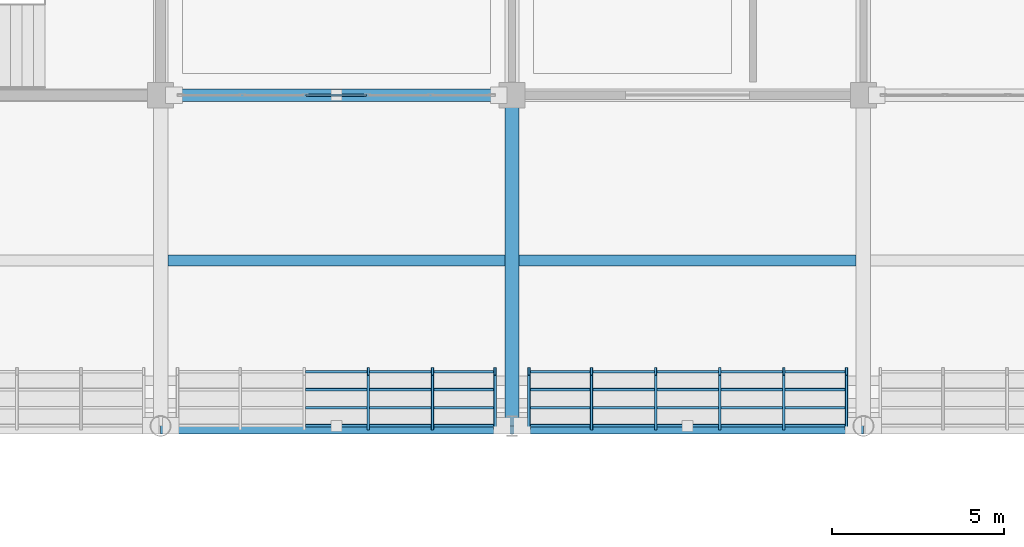
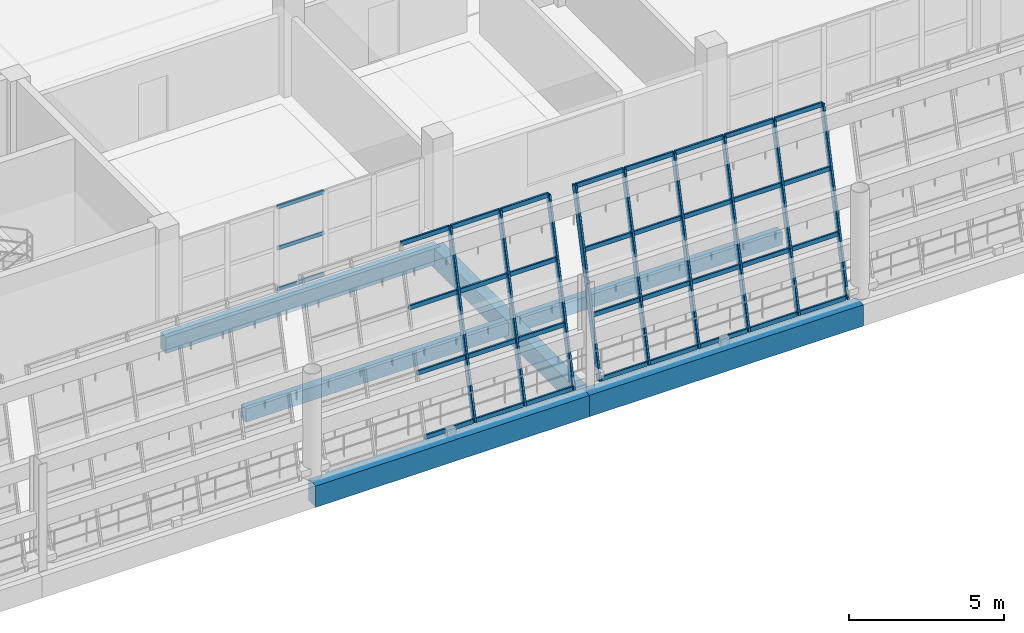
# One storey, part 39 of 157: 44 members, 6 beams, 3 elements without a shape of their own.
"""IFC4 building model written with IfcOpenShell, lengths in metres."""

from ifc_helpers import new_model, si_unit, direction, frame, origin, origin_2d, place, context, subcontext, project, spatial, rectangle, hollow_rectangle, extrude, material, material_profile, profile_set, type_object, element, aggregate, save


model = new_model("IFC4")

# Units and contexts
model_context = context("Model", 3, precision=1e-05, world=origin(), true_north=direction((0.0, 1.0)))
body_context = subcontext(model_context, "Body", "Model", "MODEL_VIEW")
ifc_project = project(units=[si_unit("LENGTHUNIT", "METRE"), si_unit("AREAUNIT", "SQUARE_METRE"), si_unit("VOLUMEUNIT", "CUBIC_METRE"), si_unit("PLANEANGLEUNIT", "RADIAN"), si_unit("MASSUNIT", "GRAM", prefix="KILO")], contexts=[model_context])

# Site, building, storey
site_placement = place(None, origin())
site = spatial("IfcSite", under=ifc_project, at=site_placement, CompositionType="ELEMENT")
building_placement = place(site_placement, origin())
building = spatial("IfcBuilding", under=site, at=building_placement, Name="Brelvane Convention Centre", CompositionType="ELEMENT")
storey_placement = place(building_placement, frame((0.0, 0.0, 10.800048828125)))
storey = spatial("IfcBuildingStorey", under=building, at=storey_placement, Name="L02", CompositionType="ELEMENT", Elevation=10.800048828125)

# Curtain wall, members
ifc_material_1 = material(Name="Anodised Aluminium Alloy 6063-T6", Category="aluminium")
curtain_wall_type_1 = type_object("IfcCurtainWallType", Name="Curtain Wall CW-HULL-N", PredefinedType="USERDEFINED", material=ifc_material_1)
curtain_wall_1_placement = place(storey_placement, origin())
curtain_wall_1 = element("IfcCurtainWall", 1, at=curtain_wall_1_placement, inside=storey, type_object=curtain_wall_type_1, Name="Curtain Wall CW-HULL-N L02-V1N-HULL-05", ObjectType="UNITISED", PredefinedType="USERDEFINED")
ifc_material_2 = material(Name="Anodised Aluminium Alloy 6063-T6", Category="aluminium")
ifc_material_profile_1 = material_profile(ifc_material_2, hollow_rectangle(XDim=0.080078125, YDim=0.239990234375, WallThickness=0.006103515625, InnerFilletRadius=0.006103515625, OuterFilletRadius=0.011962890625, at=origin_2d()), Name="ALU-M 240x80x6.0")
ifc_profile_set_1 = profile_set([ifc_material_profile_1], Name="Anodised Aluminium Alloy 6063-T6")
member_type_1 = type_object("IfcMemberType", Name="Curtain Mullion CW-M1", PredefinedType="MULLION", material=ifc_profile_set_1)
member_1_placement = place(storey_placement, frame((46.830078125, 99.60009765625, 0.0), z_axis=(0.0, 0.228324840492, 0.973585007698), x_axis=(-1.0, 0.0, 0.0)))
member_1 = element("IfcMember", 2, at=member_1_placement, type_object=member_type_1, Name="CW-HULL-N mullion 4", PredefinedType="MULLION", context=body_context, shape_type="SweptSolid", body=[
    extrude(hollow_rectangle(XDim=0.080078125, YDim=0.239990234375, WallThickness=0.006103515625, InnerFilletRadius=0.006103515625, OuterFilletRadius=0.011962890625, at=origin_2d()), origin(), (0.0, 0.0, 1.0), 6.93310546875),
])
member_2_placement = place(storey_placement, frame((48.68994140625, 99.60009765625, 0.0), z_axis=(0.0, 0.228324840492, 0.973585007698), x_axis=(-1.0, 0.0, 0.0)))
member_2 = element("IfcMember", 3, at=member_2_placement, type_object=member_type_1, Name="CW-HULL-N mullion 5", PredefinedType="MULLION", context=body_context, shape_type="SweptSolid", body=[
    extrude(hollow_rectangle(XDim=0.080078125, YDim=0.239990234375, WallThickness=0.006103515625, InnerFilletRadius=0.006103515625, OuterFilletRadius=0.011962890625, at=origin_2d()), origin(), (0.0, 0.0, 1.0), 6.93310546875),
])
member_3_placement = place(storey_placement, frame((50.510009765625, 99.60009765625, 0.0), z_axis=(0.0, 0.228324840492, 0.973585007698), x_axis=(-1.0, 0.0, 0.0)))
member_3 = element("IfcMember", 4, at=member_3_placement, type_object=member_type_1, Name="CW-HULL-N mullion 6", PredefinedType="MULLION", context=body_context, shape_type="SweptSolid", body=[
    extrude(hollow_rectangle(XDim=0.080078125, YDim=0.239990234375, WallThickness=0.006103515625, InnerFilletRadius=0.006103515625, OuterFilletRadius=0.011962890625, at=origin_2d()), origin(), (0.0, 0.0, 1.0), 6.93310546875),
])

curtain_wall_2_placement = place(storey_placement, origin())
curtain_wall_2 = element("IfcCurtainWall", 5, at=curtain_wall_2_placement, inside=storey, type_object=curtain_wall_type_1, Name="Curtain Wall CW-HULL-N L02-V1N-HULL-06", ObjectType="UNITISED", PredefinedType="USERDEFINED")
member_4_placement = place(storey_placement, frame((51.489990234375, 99.60009765625, 0.0), z_axis=(0.0, 0.228324840492, 0.973585007698), x_axis=(-1.0, 0.0, 0.0)))
member_4 = element("IfcMember", 6, at=member_4_placement, type_object=member_type_1, Name="CW-HULL-N mullion 1", PredefinedType="MULLION", context=body_context, shape_type="SweptSolid", body=[
    extrude(hollow_rectangle(XDim=0.080078125, YDim=0.239990234375, WallThickness=0.006103515625, InnerFilletRadius=0.006103515625, OuterFilletRadius=0.011962890625, at=origin_2d()), origin(), (0.0, 0.0, 1.0), 6.93310546875),
])
member_5_placement = place(storey_placement, frame((53.31005859375, 99.60009765625, 0.0), z_axis=(0.0, 0.228324840492, 0.973585007698), x_axis=(-1.0, 0.0, 0.0)))
member_5 = element("IfcMember", 7, at=member_5_placement, type_object=member_type_1, Name="CW-HULL-N mullion 2", PredefinedType="MULLION", context=body_context, shape_type="SweptSolid", body=[
    extrude(hollow_rectangle(XDim=0.080078125, YDim=0.239990234375, WallThickness=0.006103515625, InnerFilletRadius=0.006103515625, OuterFilletRadius=0.011962890625, at=origin_2d()), origin(), (0.0, 0.0, 1.0), 6.93310546875),
])
member_6_placement = place(storey_placement, frame((55.169921875, 99.60009765625, 0.0), z_axis=(0.0, 0.228324840492, 0.973585007698), x_axis=(-1.0, 0.0, 0.0)))
member_6 = element("IfcMember", 8, at=member_6_placement, type_object=member_type_1, Name="CW-HULL-N mullion 3", PredefinedType="MULLION", context=body_context, shape_type="SweptSolid", body=[
    extrude(hollow_rectangle(XDim=0.080078125, YDim=0.239990234375, WallThickness=0.006103515625, InnerFilletRadius=0.006103515625, OuterFilletRadius=0.011962890625, at=origin_2d()), origin(), (0.0, 0.0, 1.0), 6.93310546875),
])
member_7_placement = place(storey_placement, frame((57.030029296875, 99.60009765625, 0.0), z_axis=(0.0, 0.228324840492, 0.973585007698), x_axis=(-1.0, 0.0, 0.0)))
member_7 = element("IfcMember", 9, at=member_7_placement, type_object=member_type_1, Name="CW-HULL-N mullion 4", PredefinedType="MULLION", context=body_context, shape_type="SweptSolid", body=[
    extrude(hollow_rectangle(XDim=0.080078125, YDim=0.239990234375, WallThickness=0.006103515625, InnerFilletRadius=0.006103515625, OuterFilletRadius=0.011962890625, at=origin_2d()), origin(), (0.0, 0.0, 1.0), 6.93310546875),
])
member_8_placement = place(storey_placement, frame((58.889892578125, 99.60009765625, 0.0), z_axis=(0.0, 0.228324840492, 0.973585007698), x_axis=(-1.0, 0.0, 0.0)))
member_8 = element("IfcMember", 10, at=member_8_placement, type_object=member_type_1, Name="CW-HULL-N mullion 5", PredefinedType="MULLION", context=body_context, shape_type="SweptSolid", body=[
    extrude(hollow_rectangle(XDim=0.080078125, YDim=0.239990234375, WallThickness=0.006103515625, InnerFilletRadius=0.006103515625, OuterFilletRadius=0.011962890625, at=origin_2d()), origin(), (0.0, 0.0, 1.0), 6.93310546875),
])
member_9_placement = place(storey_placement, frame((60.7099609375, 99.60009765625, 0.0), z_axis=(0.0, 0.228324840492, 0.973585007698), x_axis=(-1.0, 0.0, 0.0)))
member_9 = element("IfcMember", 11, at=member_9_placement, type_object=member_type_1, Name="CW-HULL-N mullion 6", PredefinedType="MULLION", context=body_context, shape_type="SweptSolid", body=[
    extrude(hollow_rectangle(XDim=0.080078125, YDim=0.239990234375, WallThickness=0.006103515625, InnerFilletRadius=0.006103515625, OuterFilletRadius=0.011962890625, at=origin_2d()), origin(), (0.0, 0.0, 1.0), 6.93310546875),
])

# Member
ifc_material_3 = material(Name="Anodised Aluminium Alloy 6063-T6", Category="aluminium")
ifc_material_profile_2 = material_profile(ifc_material_3, hollow_rectangle(XDim=0.080078125, YDim=0.179931640625, WallThickness=0.0048828125, InnerFilletRadius=0.0048828125, OuterFilletRadius=0.010009765625, at=origin_2d()), Name="ALU-T 180x80x5.0")
ifc_profile_set_2 = profile_set([ifc_material_profile_2], Name="Anodised Aluminium Alloy 6063-T6")
member_type_2 = type_object("IfcMemberType", Name="Curtain Transom CW-T1", PredefinedType="USERDEFINED", material=ifc_profile_set_2)
member_10_placement = place(storey_placement, frame((45.010009765625, 99.609375, 0.0400390625), z_axis=(1.0, 0.0, 0.0), x_axis=(0.0, 1.0, 0.0)))
member_10 = element("IfcMember", 12, at=member_10_placement, type_object=member_type_2, Name="CW-HULL-N transom 3.1", ObjectType="TRANSOM", PredefinedType="USERDEFINED", context=body_context, shape_type="SweptSolid", body=[
    extrude(hollow_rectangle(XDim=0.080078125, YDim=0.179931640625, WallThickness=0.0048828125, InnerFilletRadius=0.0048828125, OuterFilletRadius=0.010009765625, at=origin_2d()), origin(), (0.0, 0.0, 1.0), 1.780029296875),
])

member_11_placement = place(storey_placement, frame((45.010009765625, 100.127685546875, 2.25), z_axis=(1.0, 0.0, 0.0), x_axis=(0.0, 1.0, 0.0)))
member_11 = element("IfcMember", 13, at=member_11_placement, type_object=member_type_2, Name="CW-HULL-N transom 3.2", ObjectType="TRANSOM", PredefinedType="USERDEFINED", context=body_context, shape_type="SweptSolid", body=[
    extrude(hollow_rectangle(XDim=0.080078125, YDim=0.179931640625, WallThickness=0.0048828125, InnerFilletRadius=0.0048828125, OuterFilletRadius=0.010009765625, at=origin_2d()), origin(), (0.0, 0.0, 1.0), 1.780029296875),
])

member_12_placement = place(storey_placement, frame((45.010009765625, 100.655517578125, 4.5), z_axis=(1.0, 0.0, 0.0), x_axis=(0.0, 1.0, 0.0)))
member_12 = element("IfcMember", 14, at=member_12_placement, type_object=member_type_2, Name="CW-HULL-N transom 3.3", ObjectType="TRANSOM", PredefinedType="USERDEFINED", context=body_context, shape_type="SweptSolid", body=[
    extrude(hollow_rectangle(XDim=0.080078125, YDim=0.179931640625, WallThickness=0.0048828125, InnerFilletRadius=0.0048828125, OuterFilletRadius=0.010009765625, at=origin_2d()), origin(), (0.0, 0.0, 1.0), 1.780029296875),
])

member_13_placement = place(storey_placement, frame((45.010009765625, 101.173828125, 6.7099609375), z_axis=(1.0, 0.0, 0.0), x_axis=(0.0, 1.0, 0.0)))
member_13 = element("IfcMember", 15, at=member_13_placement, type_object=member_type_2, Name="CW-HULL-N transom 3.4", ObjectType="TRANSOM", PredefinedType="USERDEFINED", context=body_context, shape_type="SweptSolid", body=[
    extrude(hollow_rectangle(XDim=0.080078125, YDim=0.179931640625, WallThickness=0.0048828125, InnerFilletRadius=0.0048828125, OuterFilletRadius=0.010009765625, at=origin_2d()), origin(), (0.0, 0.0, 1.0), 1.780029296875),
])

member_14_placement = place(storey_placement, frame((46.8701171875, 99.609375, 0.0400390625), z_axis=(1.0, 0.0, 0.0), x_axis=(0.0, 1.0, 0.0)))
member_14 = element("IfcMember", 16, at=member_14_placement, type_object=member_type_2, Name="CW-HULL-N transom 4.1", ObjectType="TRANSOM", PredefinedType="USERDEFINED", context=body_context, shape_type="SweptSolid", body=[
    extrude(hollow_rectangle(XDim=0.080078125, YDim=0.179931640625, WallThickness=0.0048828125, InnerFilletRadius=0.0048828125, OuterFilletRadius=0.010009765625, at=origin_2d()), origin(), (0.0, 0.0, 1.0), 1.77978515625),
])

member_15_placement = place(storey_placement, frame((46.8701171875, 100.127685546875, 2.25), z_axis=(1.0, 0.0, 0.0), x_axis=(0.0, 1.0, 0.0)))
member_15 = element("IfcMember", 17, at=member_15_placement, type_object=member_type_2, Name="CW-HULL-N transom 4.2", ObjectType="TRANSOM", PredefinedType="USERDEFINED", context=body_context, shape_type="SweptSolid", body=[
    extrude(hollow_rectangle(XDim=0.080078125, YDim=0.179931640625, WallThickness=0.0048828125, InnerFilletRadius=0.0048828125, OuterFilletRadius=0.010009765625, at=origin_2d()), origin(), (0.0, 0.0, 1.0), 1.77978515625),
])

member_16_placement = place(storey_placement, frame((46.8701171875, 100.655517578125, 4.5), z_axis=(1.0, 0.0, 0.0), x_axis=(0.0, 1.0, 0.0)))
member_16 = element("IfcMember", 18, at=member_16_placement, type_object=member_type_2, Name="CW-HULL-N transom 4.3", ObjectType="TRANSOM", PredefinedType="USERDEFINED", context=body_context, shape_type="SweptSolid", body=[
    extrude(hollow_rectangle(XDim=0.080078125, YDim=0.179931640625, WallThickness=0.0048828125, InnerFilletRadius=0.0048828125, OuterFilletRadius=0.010009765625, at=origin_2d()), origin(), (0.0, 0.0, 1.0), 1.77978515625),
])

member_17_placement = place(storey_placement, frame((46.8701171875, 101.173828125, 6.7099609375), z_axis=(1.0, 0.0, 0.0), x_axis=(0.0, 1.0, 0.0)))
member_17 = element("IfcMember", 19, at=member_17_placement, type_object=member_type_2, Name="CW-HULL-N transom 4.4", ObjectType="TRANSOM", PredefinedType="USERDEFINED", context=body_context, shape_type="SweptSolid", body=[
    extrude(hollow_rectangle(XDim=0.080078125, YDim=0.179931640625, WallThickness=0.0048828125, InnerFilletRadius=0.0048828125, OuterFilletRadius=0.010009765625, at=origin_2d()), origin(), (0.0, 0.0, 1.0), 1.77978515625),
])

member_18_placement = place(storey_placement, frame((48.72998046875, 99.609375, 0.0400390625), z_axis=(1.0, 0.0, 0.0), x_axis=(0.0, 1.0, 0.0)))
member_18 = element("IfcMember", 20, at=member_18_placement, type_object=member_type_2, Name="CW-HULL-N transom 5.1", ObjectType="TRANSOM", PredefinedType="USERDEFINED", context=body_context, shape_type="SweptSolid", body=[
    extrude(hollow_rectangle(XDim=0.080078125, YDim=0.179931640625, WallThickness=0.0048828125, InnerFilletRadius=0.0048828125, OuterFilletRadius=0.010009765625, at=origin_2d()), origin(), (0.0, 0.0, 1.0), 1.739990234375),
])

member_19_placement = place(storey_placement, frame((48.72998046875, 100.127685546875, 2.25), z_axis=(1.0, 0.0, 0.0), x_axis=(0.0, 1.0, 0.0)))
member_19 = element("IfcMember", 21, at=member_19_placement, type_object=member_type_2, Name="CW-HULL-N transom 5.2", ObjectType="TRANSOM", PredefinedType="USERDEFINED", context=body_context, shape_type="SweptSolid", body=[
    extrude(hollow_rectangle(XDim=0.080078125, YDim=0.179931640625, WallThickness=0.0048828125, InnerFilletRadius=0.0048828125, OuterFilletRadius=0.010009765625, at=origin_2d()), origin(), (0.0, 0.0, 1.0), 1.739990234375),
])

member_20_placement = place(storey_placement, frame((48.72998046875, 100.655517578125, 4.5), z_axis=(1.0, 0.0, 0.0), x_axis=(0.0, 1.0, 0.0)))
member_20 = element("IfcMember", 22, at=member_20_placement, type_object=member_type_2, Name="CW-HULL-N transom 5.3", ObjectType="TRANSOM", PredefinedType="USERDEFINED", context=body_context, shape_type="SweptSolid", body=[
    extrude(hollow_rectangle(XDim=0.080078125, YDim=0.179931640625, WallThickness=0.0048828125, InnerFilletRadius=0.0048828125, OuterFilletRadius=0.010009765625, at=origin_2d()), origin(), (0.0, 0.0, 1.0), 1.739990234375),
])

member_21_placement = place(storey_placement, frame((48.72998046875, 101.173828125, 6.7099609375), z_axis=(1.0, 0.0, 0.0), x_axis=(0.0, 1.0, 0.0)))
member_21 = element("IfcMember", 23, at=member_21_placement, type_object=member_type_2, Name="CW-HULL-N transom 5.4", ObjectType="TRANSOM", PredefinedType="USERDEFINED", context=body_context, shape_type="SweptSolid", body=[
    extrude(hollow_rectangle(XDim=0.080078125, YDim=0.179931640625, WallThickness=0.0048828125, InnerFilletRadius=0.0048828125, OuterFilletRadius=0.010009765625, at=origin_2d()), origin(), (0.0, 0.0, 1.0), 1.739990234375),
])

aggregate(curtain_wall_1, [member_1, member_2, member_3, member_10, member_11, member_12, member_13, member_14, member_15, member_16, member_17, member_18, member_19, member_20, member_21])

member_22_placement = place(storey_placement, frame((51.530029296875, 99.609375, 0.0400390625), z_axis=(1.0, 0.0, 0.0), x_axis=(0.0, 1.0, 0.0)))
member_22 = element("IfcMember", 24, at=member_22_placement, type_object=member_type_2, Name="CW-HULL-N transom 1.1", ObjectType="TRANSOM", PredefinedType="USERDEFINED", context=body_context, shape_type="SweptSolid", body=[
    extrude(hollow_rectangle(XDim=0.080078125, YDim=0.179931640625, WallThickness=0.0048828125, InnerFilletRadius=0.0048828125, OuterFilletRadius=0.010009765625, at=origin_2d()), origin(), (0.0, 0.0, 1.0), 1.739990234375),
])

member_23_placement = place(storey_placement, frame((51.530029296875, 100.127685546875, 2.25), z_axis=(1.0, 0.0, 0.0), x_axis=(0.0, 1.0, 0.0)))
member_23 = element("IfcMember", 25, at=member_23_placement, type_object=member_type_2, Name="CW-HULL-N transom 1.2", ObjectType="TRANSOM", PredefinedType="USERDEFINED", context=body_context, shape_type="SweptSolid", body=[
    extrude(hollow_rectangle(XDim=0.080078125, YDim=0.179931640625, WallThickness=0.0048828125, InnerFilletRadius=0.0048828125, OuterFilletRadius=0.010009765625, at=origin_2d()), origin(), (0.0, 0.0, 1.0), 1.739990234375),
])

member_24_placement = place(storey_placement, frame((51.530029296875, 100.655517578125, 4.5), z_axis=(1.0, 0.0, 0.0), x_axis=(0.0, 1.0, 0.0)))
member_24 = element("IfcMember", 26, at=member_24_placement, type_object=member_type_2, Name="CW-HULL-N transom 1.3", ObjectType="TRANSOM", PredefinedType="USERDEFINED", context=body_context, shape_type="SweptSolid", body=[
    extrude(hollow_rectangle(XDim=0.080078125, YDim=0.179931640625, WallThickness=0.0048828125, InnerFilletRadius=0.0048828125, OuterFilletRadius=0.010009765625, at=origin_2d()), origin(), (0.0, 0.0, 1.0), 1.739990234375),
])

member_25_placement = place(storey_placement, frame((51.530029296875, 101.173828125, 6.7099609375), z_axis=(1.0, 0.0, 0.0), x_axis=(0.0, 1.0, 0.0)))
member_25 = element("IfcMember", 27, at=member_25_placement, type_object=member_type_2, Name="CW-HULL-N transom 1.4", ObjectType="TRANSOM", PredefinedType="USERDEFINED", context=body_context, shape_type="SweptSolid", body=[
    extrude(hollow_rectangle(XDim=0.080078125, YDim=0.179931640625, WallThickness=0.0048828125, InnerFilletRadius=0.0048828125, OuterFilletRadius=0.010009765625, at=origin_2d()), origin(), (0.0, 0.0, 1.0), 1.739990234375),
])

member_26_placement = place(storey_placement, frame((53.35009765625, 99.609375, 0.0400390625), z_axis=(1.0, 0.0, 0.0), x_axis=(0.0, 1.0, 0.0)))
member_26 = element("IfcMember", 28, at=member_26_placement, type_object=member_type_2, Name="CW-HULL-N transom 2.1", ObjectType="TRANSOM", PredefinedType="USERDEFINED", context=body_context, shape_type="SweptSolid", body=[
    extrude(hollow_rectangle(XDim=0.080078125, YDim=0.179931640625, WallThickness=0.0048828125, InnerFilletRadius=0.0048828125, OuterFilletRadius=0.010009765625, at=origin_2d()), origin(), (0.0, 0.0, 1.0), 1.77978515625),
])

member_27_placement = place(storey_placement, frame((53.35009765625, 100.127685546875, 2.25), z_axis=(1.0, 0.0, 0.0), x_axis=(0.0, 1.0, 0.0)))
member_27 = element("IfcMember", 29, at=member_27_placement, type_object=member_type_2, Name="CW-HULL-N transom 2.2", ObjectType="TRANSOM", PredefinedType="USERDEFINED", context=body_context, shape_type="SweptSolid", body=[
    extrude(hollow_rectangle(XDim=0.080078125, YDim=0.179931640625, WallThickness=0.0048828125, InnerFilletRadius=0.0048828125, OuterFilletRadius=0.010009765625, at=origin_2d()), origin(), (0.0, 0.0, 1.0), 1.77978515625),
])

member_28_placement = place(storey_placement, frame((53.35009765625, 100.655517578125, 4.5), z_axis=(1.0, 0.0, 0.0), x_axis=(0.0, 1.0, 0.0)))
member_28 = element("IfcMember", 30, at=member_28_placement, type_object=member_type_2, Name="CW-HULL-N transom 2.3", ObjectType="TRANSOM", PredefinedType="USERDEFINED", context=body_context, shape_type="SweptSolid", body=[
    extrude(hollow_rectangle(XDim=0.080078125, YDim=0.179931640625, WallThickness=0.0048828125, InnerFilletRadius=0.0048828125, OuterFilletRadius=0.010009765625, at=origin_2d()), origin(), (0.0, 0.0, 1.0), 1.77978515625),
])

member_29_placement = place(storey_placement, frame((53.35009765625, 101.173828125, 6.7099609375), z_axis=(1.0, 0.0, 0.0), x_axis=(0.0, 1.0, 0.0)))
member_29 = element("IfcMember", 31, at=member_29_placement, type_object=member_type_2, Name="CW-HULL-N transom 2.4", ObjectType="TRANSOM", PredefinedType="USERDEFINED", context=body_context, shape_type="SweptSolid", body=[
    extrude(hollow_rectangle(XDim=0.080078125, YDim=0.179931640625, WallThickness=0.0048828125, InnerFilletRadius=0.0048828125, OuterFilletRadius=0.010009765625, at=origin_2d()), origin(), (0.0, 0.0, 1.0), 1.77978515625),
])

member_30_placement = place(storey_placement, frame((55.2099609375, 99.609375, 0.0400390625), z_axis=(1.0, 0.0, 0.0), x_axis=(0.0, 1.0, 0.0)))
member_30 = element("IfcMember", 32, at=member_30_placement, type_object=member_type_2, Name="CW-HULL-N transom 3.1", ObjectType="TRANSOM", PredefinedType="USERDEFINED", context=body_context, shape_type="SweptSolid", body=[
    extrude(hollow_rectangle(XDim=0.080078125, YDim=0.179931640625, WallThickness=0.0048828125, InnerFilletRadius=0.0048828125, OuterFilletRadius=0.010009765625, at=origin_2d()), origin(), (0.0, 0.0, 1.0), 1.780029296875),
])

member_31_placement = place(storey_placement, frame((55.2099609375, 100.127685546875, 2.25), z_axis=(1.0, 0.0, 0.0), x_axis=(0.0, 1.0, 0.0)))
member_31 = element("IfcMember", 33, at=member_31_placement, type_object=member_type_2, Name="CW-HULL-N transom 3.2", ObjectType="TRANSOM", PredefinedType="USERDEFINED", context=body_context, shape_type="SweptSolid", body=[
    extrude(hollow_rectangle(XDim=0.080078125, YDim=0.179931640625, WallThickness=0.0048828125, InnerFilletRadius=0.0048828125, OuterFilletRadius=0.010009765625, at=origin_2d()), origin(), (0.0, 0.0, 1.0), 1.780029296875),
])

member_32_placement = place(storey_placement, frame((55.2099609375, 100.655517578125, 4.5), z_axis=(1.0, 0.0, 0.0), x_axis=(0.0, 1.0, 0.0)))
member_32 = element("IfcMember", 34, at=member_32_placement, type_object=member_type_2, Name="CW-HULL-N transom 3.3", ObjectType="TRANSOM", PredefinedType="USERDEFINED", context=body_context, shape_type="SweptSolid", body=[
    extrude(hollow_rectangle(XDim=0.080078125, YDim=0.179931640625, WallThickness=0.0048828125, InnerFilletRadius=0.0048828125, OuterFilletRadius=0.010009765625, at=origin_2d()), origin(), (0.0, 0.0, 1.0), 1.780029296875),
])

member_33_placement = place(storey_placement, frame((55.2099609375, 101.173828125, 6.7099609375), z_axis=(1.0, 0.0, 0.0), x_axis=(0.0, 1.0, 0.0)))
member_33 = element("IfcMember", 35, at=member_33_placement, type_object=member_type_2, Name="CW-HULL-N transom 3.4", ObjectType="TRANSOM", PredefinedType="USERDEFINED", context=body_context, shape_type="SweptSolid", body=[
    extrude(hollow_rectangle(XDim=0.080078125, YDim=0.179931640625, WallThickness=0.0048828125, InnerFilletRadius=0.0048828125, OuterFilletRadius=0.010009765625, at=origin_2d()), origin(), (0.0, 0.0, 1.0), 1.780029296875),
])

member_34_placement = place(storey_placement, frame((57.070068359375, 99.609375, 0.0400390625), z_axis=(1.0, 0.0, 0.0), x_axis=(0.0, 1.0, 0.0)))
member_34 = element("IfcMember", 36, at=member_34_placement, type_object=member_type_2, Name="CW-HULL-N transom 4.1", ObjectType="TRANSOM", PredefinedType="USERDEFINED", context=body_context, shape_type="SweptSolid", body=[
    extrude(hollow_rectangle(XDim=0.080078125, YDim=0.179931640625, WallThickness=0.0048828125, InnerFilletRadius=0.0048828125, OuterFilletRadius=0.010009765625, at=origin_2d()), origin(), (0.0, 0.0, 1.0), 1.780029296875),
])

member_35_placement = place(storey_placement, frame((57.070068359375, 100.127685546875, 2.25), z_axis=(1.0, 0.0, 0.0), x_axis=(0.0, 1.0, 0.0)))
member_35 = element("IfcMember", 37, at=member_35_placement, type_object=member_type_2, Name="CW-HULL-N transom 4.2", ObjectType="TRANSOM", PredefinedType="USERDEFINED", context=body_context, shape_type="SweptSolid", body=[
    extrude(hollow_rectangle(XDim=0.080078125, YDim=0.179931640625, WallThickness=0.0048828125, InnerFilletRadius=0.0048828125, OuterFilletRadius=0.010009765625, at=origin_2d()), origin(), (0.0, 0.0, 1.0), 1.780029296875),
])

member_36_placement = place(storey_placement, frame((57.070068359375, 100.655517578125, 4.5), z_axis=(1.0, 0.0, 0.0), x_axis=(0.0, 1.0, 0.0)))
member_36 = element("IfcMember", 38, at=member_36_placement, type_object=member_type_2, Name="CW-HULL-N transom 4.3", ObjectType="TRANSOM", PredefinedType="USERDEFINED", context=body_context, shape_type="SweptSolid", body=[
    extrude(hollow_rectangle(XDim=0.080078125, YDim=0.179931640625, WallThickness=0.0048828125, InnerFilletRadius=0.0048828125, OuterFilletRadius=0.010009765625, at=origin_2d()), origin(), (0.0, 0.0, 1.0), 1.780029296875),
])

member_37_placement = place(storey_placement, frame((57.070068359375, 101.173828125, 6.7099609375), z_axis=(1.0, 0.0, 0.0), x_axis=(0.0, 1.0, 0.0)))
member_37 = element("IfcMember", 39, at=member_37_placement, type_object=member_type_2, Name="CW-HULL-N transom 4.4", ObjectType="TRANSOM", PredefinedType="USERDEFINED", context=body_context, shape_type="SweptSolid", body=[
    extrude(hollow_rectangle(XDim=0.080078125, YDim=0.179931640625, WallThickness=0.0048828125, InnerFilletRadius=0.0048828125, OuterFilletRadius=0.010009765625, at=origin_2d()), origin(), (0.0, 0.0, 1.0), 1.780029296875),
])

member_38_placement = place(storey_placement, frame((58.929931640625, 99.609375, 0.0400390625), z_axis=(1.0, 0.0, 0.0), x_axis=(0.0, 1.0, 0.0)))
member_38 = element("IfcMember", 40, at=member_38_placement, type_object=member_type_2, Name="CW-HULL-N transom 5.1", ObjectType="TRANSOM", PredefinedType="USERDEFINED", context=body_context, shape_type="SweptSolid", body=[
    extrude(hollow_rectangle(XDim=0.080078125, YDim=0.179931640625, WallThickness=0.0048828125, InnerFilletRadius=0.0048828125, OuterFilletRadius=0.010009765625, at=origin_2d()), origin(), (0.0, 0.0, 1.0), 1.739990234375),
])

member_39_placement = place(storey_placement, frame((58.929931640625, 100.127685546875, 2.25), z_axis=(1.0, 0.0, 0.0), x_axis=(0.0, 1.0, 0.0)))
member_39 = element("IfcMember", 41, at=member_39_placement, type_object=member_type_2, Name="CW-HULL-N transom 5.2", ObjectType="TRANSOM", PredefinedType="USERDEFINED", context=body_context, shape_type="SweptSolid", body=[
    extrude(hollow_rectangle(XDim=0.080078125, YDim=0.179931640625, WallThickness=0.0048828125, InnerFilletRadius=0.0048828125, OuterFilletRadius=0.010009765625, at=origin_2d()), origin(), (0.0, 0.0, 1.0), 1.739990234375),
])

member_40_placement = place(storey_placement, frame((58.929931640625, 100.655517578125, 4.5), z_axis=(1.0, 0.0, 0.0), x_axis=(0.0, 1.0, 0.0)))
member_40 = element("IfcMember", 42, at=member_40_placement, type_object=member_type_2, Name="CW-HULL-N transom 5.3", ObjectType="TRANSOM", PredefinedType="USERDEFINED", context=body_context, shape_type="SweptSolid", body=[
    extrude(hollow_rectangle(XDim=0.080078125, YDim=0.179931640625, WallThickness=0.0048828125, InnerFilletRadius=0.0048828125, OuterFilletRadius=0.010009765625, at=origin_2d()), origin(), (0.0, 0.0, 1.0), 1.739990234375),
])

member_41_placement = place(storey_placement, frame((58.929931640625, 101.173828125, 6.7099609375), z_axis=(1.0, 0.0, 0.0), x_axis=(0.0, 1.0, 0.0)))
member_41 = element("IfcMember", 43, at=member_41_placement, type_object=member_type_2, Name="CW-HULL-N transom 5.4", ObjectType="TRANSOM", PredefinedType="USERDEFINED", context=body_context, shape_type="SweptSolid", body=[
    extrude(hollow_rectangle(XDim=0.080078125, YDim=0.179931640625, WallThickness=0.0048828125, InnerFilletRadius=0.0048828125, OuterFilletRadius=0.010009765625, at=origin_2d()), origin(), (0.0, 0.0, 1.0), 1.739990234375),
])

aggregate(curtain_wall_2, [member_4, member_5, member_6, member_7, member_8, member_9, member_22, member_23, member_24, member_25, member_26, member_27, member_28, member_29, member_30, member_31, member_32, member_33, member_34, member_35, member_36, member_37, member_38, member_39, member_40, member_41])

# Curtain wall, members
ifc_material_4 = material(Name="Anodised Aluminium Alloy 6063-T6", Category="aluminium")
curtain_wall_type_2 = type_object("IfcCurtainWallType", Name="Curtain Wall CW-COURT", PredefinedType="USERDEFINED", material=ifc_material_4)
curtain_wall_3_placement = place(storey_placement, origin())
curtain_wall_3 = element("IfcCurtainWall", 44, at=curtain_wall_3_placement, inside=storey, type_object=curtain_wall_type_2, Name="Curtain Wall CW-COURT L02-V4S-05", ObjectType="UNITISED", PredefinedType="USERDEFINED")
ifc_material_5 = material(Name="Anodised Aluminium Alloy 6063-T6", Category="aluminium")
ifc_material_profile_3 = material_profile(ifc_material_5, hollow_rectangle(XDim=0.070068359375, YDim=0.14990234375, WallThickness=0.00439453125, InnerFilletRadius=0.00439453125, OuterFilletRadius=0.009033203125, at=origin_2d()), Name="ALU-T 150x70x4.5")
ifc_profile_set_3 = profile_set([ifc_material_profile_3], Name="Anodised Aluminium Alloy 6063-T6")
member_type_3 = type_object("IfcMemberType", Name="Curtain Transom CW-T2", PredefinedType="USERDEFINED", material=ifc_profile_set_3)
member_42_placement = place(storey_placement, frame((45.027587890625, 109.199951171875, 0.034912109375), z_axis=(1.0, 0.0, 0.0), x_axis=(0.0, 1.0, 0.0)))
member_42 = element("IfcMember", 45, at=member_42_placement, type_object=member_type_3, Name="CW-COURT transom 3.1", ObjectType="TRANSOM", PredefinedType="USERDEFINED", context=body_context, shape_type="SweptSolid", body=[
    extrude(hollow_rectangle(XDim=0.070068359375, YDim=0.14990234375, WallThickness=0.00439453125, InnerFilletRadius=0.00439453125, OuterFilletRadius=0.009033203125, at=origin_2d()), origin(), (0.0, 0.0, 1.0), 1.744873046875),
])
member_43_placement = place(storey_placement, frame((45.027587890625, 109.199951171875, 1.64990234375), z_axis=(1.0, 0.0, 0.0), x_axis=(0.0, 1.0, 0.0)))
member_43 = element("IfcMember", 46, at=member_43_placement, type_object=member_type_3, Name="CW-COURT transom 3.2", ObjectType="TRANSOM", PredefinedType="USERDEFINED", context=body_context, shape_type="SweptSolid", body=[
    extrude(hollow_rectangle(XDim=0.070068359375, YDim=0.14990234375, WallThickness=0.00439453125, InnerFilletRadius=0.00439453125, OuterFilletRadius=0.009033203125, at=origin_2d()), origin(), (0.0, 0.0, 1.0), 1.744873046875),
])
member_44_placement = place(storey_placement, frame((45.027587890625, 109.199951171875, 3.264892578125), z_axis=(1.0, 0.0, 0.0), x_axis=(0.0, 1.0, 0.0)))
member_44 = element("IfcMember", 47, at=member_44_placement, type_object=member_type_3, Name="CW-COURT transom 3.3", ObjectType="TRANSOM", PredefinedType="USERDEFINED", context=body_context, shape_type="SweptSolid", body=[
    extrude(hollow_rectangle(XDim=0.070068359375, YDim=0.14990234375, WallThickness=0.00439453125, InnerFilletRadius=0.00439453125, OuterFilletRadius=0.009033203125, at=origin_2d()), origin(), (0.0, 0.0, 1.0), 1.744873046875),
])
aggregate(curtain_wall_3, [member_42, member_43, member_44])

# Beams
ifc_material_6 = material(Name="Concrete M40", Category="concrete")
ifc_material_profile_4 = material_profile(ifc_material_6, rectangle(XDim=0.4599609375, YDim=0.840087890625, at=origin_2d()), Name="RC 460x840")
ifc_profile_set_4 = profile_set([ifc_material_profile_4], Name="Concrete M40")
beam_type_1 = type_object("IfcBeamType", Name="RC Beam B-RC11 (RC 460x840)", PredefinedType="BEAM", material=ifc_profile_set_4)
for number, where, z_axis, x_axis, name in (
    (48, (40.800048828125, 99.60009765625, -0.699951171875), (1.0, 0.0, 0.0), (0.0, 1.0, 0.0), "L02 Beam 5-6/K"),
    (49, (51.0, 99.60009765625, -0.699951171875), (1.0, 0.0, 0.0), (0.0, 1.0, 0.0), "L02 Beam 6-7/K"),
):
    element("IfcBeam", number, at=place(storey_placement, frame(where, z_axis=z_axis, x_axis=x_axis)), inside=storey, type_object=beam_type_1, Name=name, PredefinedType="BEAM", context=body_context, shape_type="SweptSolid", body=[
        extrude(rectangle(XDim=0.4599609375, YDim=0.840087890625, at=origin_2d()), origin(), (0.0, 0.0, 1.0), 10.199951171875),
    ])
ifc_material_7 = material(Name="Concrete M40", Category="concrete")
ifc_material_profile_5 = material_profile(ifc_material_7, rectangle(XDim=0.419921875, YDim=0.780029296875, at=origin_2d()), Name="RC 420x780")
ifc_profile_set_5 = profile_set([ifc_material_profile_5], Name="Concrete M40")
beam_type_2 = type_object("IfcBeamType", Name="RC Beam B-RC12 (RC 420x780)", PredefinedType="BEAM", material=ifc_profile_set_5)
beam_1_placement = place(storey_placement, frame((51.0, 99.60009765625, -0.670166015625), z_axis=(0.0, 1.0, 0.0), x_axis=(-1.0, 0.0, 0.0)))
element("IfcBeam", 50, at=beam_1_placement, inside=storey, type_object=beam_type_2, Name="L02 Girder 6/K-L", PredefinedType="BEAM", context=body_context, shape_type="SweptSolid", body=[
    extrude(rectangle(XDim=0.419921875, YDim=0.780029296875, at=origin_2d()), origin(), (0.0, 0.0, 1.0), 9.599853515625),
])
ifc_material_8 = material(Name="Concrete M40", Category="concrete")
ifc_material_profile_6 = material_profile(ifc_material_8, rectangle(XDim=0.320068359375, YDim=0.52001953125, at=origin_2d()), Name="RC 320x520")
ifc_profile_set_6 = profile_set([ifc_material_profile_6], Name="Concrete M40")
beam_type_3 = type_object("IfcBeamType", Name="RC Joist J-RC4 (RC 320x520)", PredefinedType="JOIST", material=ifc_profile_set_6)
for number, where, z_axis, x_axis, name in (
    (51, (41.010009765625, 104.39990234375, -0.5400390625), (1.0, 0.0, 0.0), (0.0, 1.0, 0.0), "L02 Secondary Joist 5-6/KL"),
    (52, (51.2099609375, 104.39990234375, -0.5400390625), (1.0, 0.0, 0.0), (0.0, 1.0, 0.0), "L02 Secondary Joist 6-7/KL"),
):
    element("IfcBeam", number, at=place(storey_placement, frame(where, z_axis=z_axis, x_axis=x_axis)), inside=storey, type_object=beam_type_3, Name=name, PredefinedType="JOIST", context=body_context, shape_type="SweptSolid", body=[
        extrude(rectangle(XDim=0.320068359375, YDim=0.52001953125, at=origin_2d()), origin(), (0.0, 0.0, 1.0), 9.780029296875),
    ])
ifc_material_9 = material(Name="Concrete M40", Category="concrete")
ifc_material_profile_7 = material_profile(ifc_material_9, rectangle(XDim=0.360107421875, YDim=0.639892578125, at=origin_2d()), Name="RC 360x640")
ifc_profile_set_7 = profile_set([ifc_material_profile_7], Name="Concrete M40")
beam_type_4 = type_object("IfcBeamType", Name="RC Spandrel SP-RC3 (RC 360x640)", PredefinedType="SPANDREL", material=ifc_profile_set_7)
beam_2_placement = place(storey_placement, frame((40.800048828125, 109.199951171875, -0.60009765625), z_axis=(1.0, 0.0, 0.0), x_axis=(0.0, 1.0, 0.0)))
element("IfcBeam", 53, at=beam_2_placement, inside=storey, type_object=beam_type_4, Name="L02 Beam 5-6/L", PredefinedType="SPANDREL", context=body_context, shape_type="SweptSolid", body=[
    extrude(rectangle(XDim=0.360107421875, YDim=0.639892578125, at=origin_2d()), origin(), (0.0, 0.0, 1.0), 10.199951171875),
])

save(model, "model.ifc")
